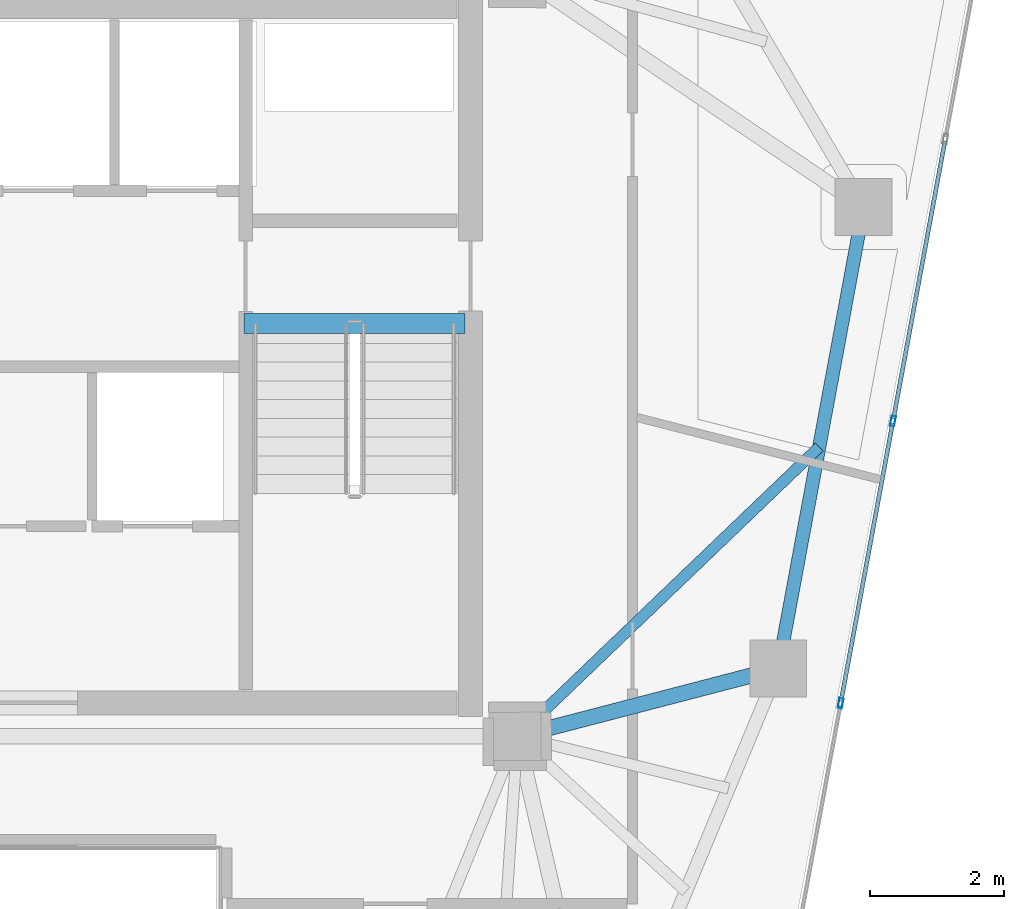
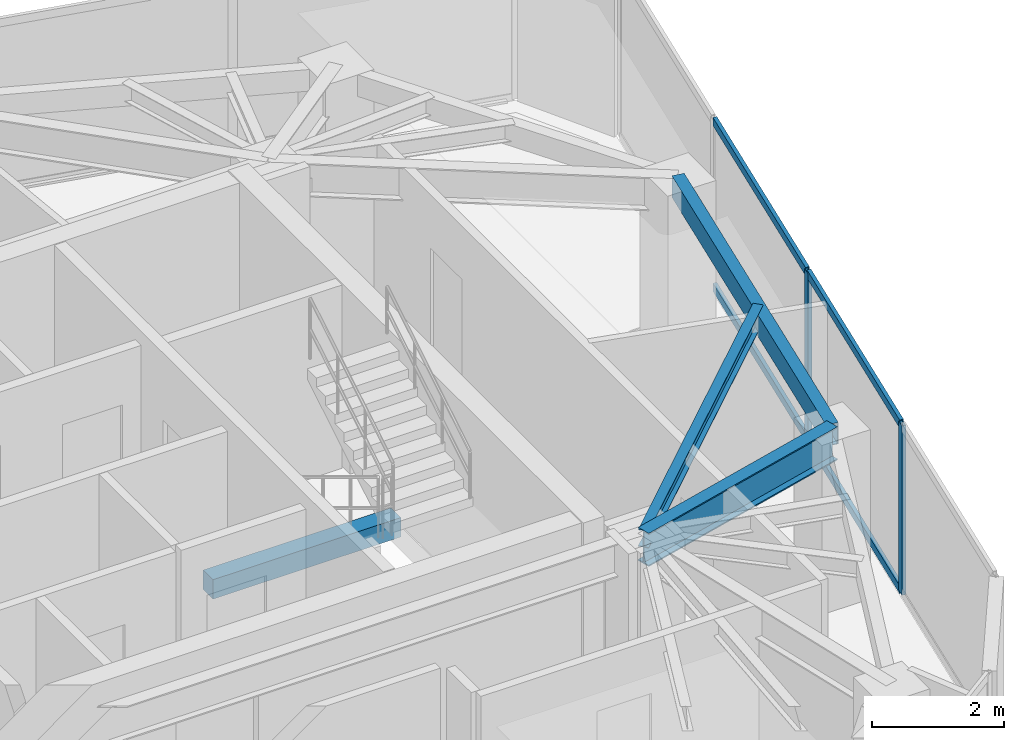
# One storey, part 12 of 19: 6 members, 4 beams, 1 element without a shape of its own.
"""IFC4 building model written with IfcOpenShell, lengths in metres."""

from ifc_helpers import new_model, si_unit, direction, frame, origin, origin_2d, place, context, subcontext, project, spatial, rectangle, hollow_rectangle, i_section, extrude, source, transform, mapped, material, layer, layer_set, material_profile, profile_set, type_object, type_shapes, element, aggregate, save


model = new_model("IFC4")

# Units and contexts
model_context = context("Model", 3, precision=1e-05, world=origin(), true_north=direction((0.0, 1.0)))
body_context = subcontext(model_context, "Body", "Model", "MODEL_VIEW")
ifc_project = project(units=[si_unit("LENGTHUNIT", "METRE"), si_unit("AREAUNIT", "SQUARE_METRE"), si_unit("VOLUMEUNIT", "CUBIC_METRE"), si_unit("PLANEANGLEUNIT", "RADIAN"), si_unit("MASSUNIT", "GRAM", prefix="KILO")], contexts=[model_context])

# Site, building, storey
site_placement = place(None, origin())
site = spatial("IfcSite", under=ifc_project, at=site_placement, CompositionType="ELEMENT")
building_placement = place(site_placement, origin())
building = spatial("IfcBuilding", under=site, at=building_placement, Name="Talar Marvaseh", CompositionType="ELEMENT")
storey_placement = place(building_placement, frame((0.0, 0.0, 240.800048828125)))
storey = spatial("IfcBuildingStorey", under=building, at=storey_placement, Name="L63", CompositionType="ELEMENT", Elevation=240.800048828125)

# Beams
ifc_material_1 = material(Name="Concrete C40/50", Category="concrete")
ifc_material_profile_1 = material_profile(ifc_material_1, rectangle(XDim=0.300048828125, YDim=0.360107421875, at=origin_2d()), Name="RC300x360")
ifc_profile_set_1 = profile_set([ifc_material_profile_1], Name="Concrete C40/50")
beam_type_1 = type_object("IfcBeamType", Name="Concrete Stair Landing Trimmer Beam RC300x360", PredefinedType="SPANDREL", material=ifc_profile_set_1)
beam_1_placement = place(storey_placement, frame((29.219970703125, 31.669921875, -0.179931640625), z_axis=(1.0, 0.0, 0.0), x_axis=(0.0, 1.0, 0.0)))
element("IfcBeam", 1, at=beam_1_placement, inside=storey, type_object=beam_type_1, Name="L63 ST-2 Stair Nosing Trimmer Beam", PredefinedType="SPANDREL", context=body_context, shape_type="SweptSolid", body=[
    extrude(rectangle(XDim=0.300048828125, YDim=0.360107421875, at=origin_2d()), origin(), (0.0, 0.0, 1.0), 3.300048828125),
])
ifc_material_2 = material(Name="Steel S355", Category="steel")
ifc_material_profile_2 = material_profile(ifc_material_2, hollow_rectangle(XDim=0.199951171875, YDim=0.39990234375, WallThickness=0.013916015625, at=origin_2d()), Name="RHS400x200x14")
ifc_profile_set_2 = profile_set([ifc_material_profile_2], Name="Steel S355")
beam_type_2 = type_object("IfcBeamType", Name="Zone 3 Perimeter Spandrel Beam RHS400x200x14", PredefinedType="SPANDREL", material=ifc_profile_set_2)
beam_2_placement = place(storey_placement, frame((38.470947265625, 33.406005859375, 2.93994140625), z_axis=(-0.181759950929, -0.983342931148, 0.0), x_axis=(0.983342931148, -0.181759950929, 0.0)))
element("IfcBeam", 2, at=beam_2_placement, inside=storey, type_object=beam_type_2, Name="L63 Zone 3 Perimeter Spandrel Beam RHS400x200x14", PredefinedType="SPANDREL", context=body_context, shape_type="SweptSolid", body=[
    extrude(hollow_rectangle(XDim=0.199951171875, YDim=0.39990234375, WallThickness=0.013916015625, at=origin_2d()), origin(), (0.0, 0.0, 1.0), 7.0087890625),
])
ifc_material_profile_3 = material_profile(ifc_material_2, i_section(OverallWidth=0.166015625, OverallDepth=0.31298828125, WebThickness=0.006591796875, FlangeThickness=0.01123046875, at=origin_2d()), Name="W310x45")
ifc_profile_set_3 = profile_set([ifc_material_profile_3], Name="Steel S355")
beam_type_3 = type_object("IfcBeamType", Name="Zone 3 Secondary Floor Joist W310x45", PredefinedType="JOIST", material=ifc_profile_set_3)
beam_3_placement = place(storey_placement, frame((37.80859375, 29.822265625, 2.9833984375), z_axis=(-0.721862081493, -0.692036946486, 0.0), x_axis=(0.692036946486, -0.721862081493, 0.0)))
element("IfcBeam", 3, at=beam_3_placement, inside=storey, type_object=beam_type_3, Name="L63 Zone 3 Secondary Floor Joist W310x45", PredefinedType="JOIST", context=body_context, shape_type="SweptSolid", body=[
    extrude(i_section(OverallWidth=0.166015625, OverallDepth=0.31298828125, WebThickness=0.006591796875, FlangeThickness=0.01123046875, at=origin_2d()), origin(), (0.0, 0.0, 1.0), 6.24560546875),
])
ifc_material_profile_4 = material_profile(ifc_material_2, i_section(OverallWidth=0.22998046875, OverallDepth=0.616943359375, WebThickness=0.01318359375, FlangeThickness=0.022216796875, at=origin_2d()), Name="W610x140")
ifc_profile_set_4 = profile_set([ifc_material_profile_4], Name="Steel S355")
beam_type_4 = type_object("IfcBeamType", Name="Zone 4 Radial Floor Girder W610x140", PredefinedType="BEAM", material=ifc_profile_set_4)
beam_4_placement = place(storey_placement, frame((37.197021484375, 26.513916015625, 2.83154296875), z_axis=(-0.967779967746, -0.251797406719, 0.0), x_axis=(0.251797406719, -0.967779967746, 0.0)))
element("IfcBeam", 4, at=beam_4_placement, inside=storey, type_object=beam_type_4, Name="L63 Zone 4 Radial Floor Girder W610x140", PredefinedType="BEAM", context=body_context, shape_type="SweptSolid", body=[
    extrude(i_section(OverallWidth=0.22998046875, OverallDepth=0.616943359375, WebThickness=0.01318359375, FlangeThickness=0.022216796875, at=origin_2d()), origin(), (0.0, 0.0, 1.0), 4.026611328125),
])

# Curtain wall, members
ifc_material_3 = material(Name="Architectural Aluminium", Category="aluminium")
ifc_layer = layer(ifc_material_3, 0.179931640625)
ifc_layer_set = layer_set([ifc_layer], Name="Architectural Aluminium")
curtain_wall_type = type_object("IfcCurtainWallType", Name="Unitised High-Wind Sky Curtain Wall Z4", PredefinedType="NOTDEFINED", material=ifc_layer_set)
curtain_wall_placement = place(storey_placement, origin())
curtain_wall = element("IfcCurtainWall", 5, at=curtain_wall_placement, inside=storey, type_object=curtain_wall_type, Name="L63 Unitised High-Wind Sky Curtain Wall Z4", PredefinedType="NOTDEFINED")
ifc_material_profile_5 = material_profile(ifc_material_3, hollow_rectangle(XDim=0.06494140625, YDim=0.14990234375, WallThickness=0.00390625, at=origin_2d()), Name="RHS150x65x4")
ifc_profile_set_5 = profile_set([ifc_material_profile_5], Name="Architectural Aluminium")
member_type_1 = type_object("IfcMemberType", Name="Unitised Curtain Wall Slim Mullion RHS150x65x4", PredefinedType="MULLION", material=ifc_profile_set_5)
shared_shape_1 = source(origin(), body_context, "Body", "SweptSolid", [
    extrude(hollow_rectangle(XDim=0.06494140625, YDim=0.14990234375, WallThickness=0.00390625, at=origin_2d()), origin(), (0.0, 0.0, 1.0), 3.139892578125),
])
type_shapes(member_type_1, [shared_shape_1])
member_1_placement = place(storey_placement, frame((38.91064453125, 30.210205078125, 0.0), z_axis=(0.0, 0.0, 1.0), x_axis=(0.983227037765, -0.182385833354, 0.0)))
member_1 = element("IfcMember", 6, at=member_1_placement, type_object=member_type_1, Name="CW-Z4 mullion 3", PredefinedType="MULLION", context=body_context, shape_type="MappedRepresentation", body=[
    mapped(shared_shape_1, transform((0.0, 0.0, 0.0), x_axis=(1.0, 0.0, 0.0), y_axis=(0.0, 1.0, 0.0), z_axis=(0.0, 0.0, 1.0), scale=1.0)),
])
member_2_placement = place(storey_placement, frame((38.12890625, 25.995849609375, 0.0), z_axis=(0.0, 0.0, 1.0), x_axis=(0.983227037765, -0.182385833354, 0.0)))
member_2 = element("IfcMember", 7, at=member_2_placement, type_object=member_type_1, Name="CW-Z4 mullion 4", PredefinedType="MULLION", context=body_context, shape_type="MappedRepresentation", body=[
    mapped(shared_shape_1, transform((0.0, 0.0, 0.0), x_axis=(1.0, 0.0, 0.0), y_axis=(0.0, 1.0, 0.0), z_axis=(0.0, 0.0, 1.0), scale=1.0)),
])
ifc_material_profile_6 = material_profile(ifc_material_3, hollow_rectangle(XDim=0.06494140625, YDim=0.14990234375, WallThickness=0.00390625, at=origin_2d()), Name="RHS150x65x4")
ifc_profile_set_6 = profile_set([ifc_material_profile_6], Name="Architectural Aluminium")
member_type_2 = type_object("IfcMemberType", Name="Unitised Curtain Wall Slim Transom RHS150x65x4", PredefinedType="USERDEFINED", material=ifc_profile_set_6)
shared_shape_2 = source(origin(), body_context, "Body", "SweptSolid", [
    extrude(hollow_rectangle(XDim=0.06494140625, YDim=0.14990234375, WallThickness=0.00390625, at=origin_2d()), origin(), (0.0, 0.0, 1.0), 4.221435546875),
])
type_shapes(member_type_2, [shared_shape_2])
member_3_placement = place(storey_placement, frame((39.6865234375, 34.392578125, 0.032470703125), z_axis=(-0.182406106435, -0.983223276949, 0.0), x_axis=(0.983223276949, -0.182406106435, 0.0)))
member_3 = element("IfcMember", 8, at=member_3_placement, type_object=member_type_2, Name="CW-Z4 transom 2.1", ObjectType="TRANSOM", PredefinedType="USERDEFINED", context=body_context, shape_type="MappedRepresentation", body=[
    mapped(shared_shape_2, transform((0.0, 0.0, 0.0), x_axis=(1.0, 0.0, 0.0), y_axis=(0.0, 1.0, 0.0), z_axis=(0.0, 0.0, 1.0), scale=1.0)),
])
member_4_placement = place(storey_placement, frame((39.6865234375, 34.392578125, 3.107421875), z_axis=(-0.182406106435, -0.983223276949, 0.0), x_axis=(0.983223276949, -0.182406106435, 0.0)))
member_4 = element("IfcMember", 9, at=member_4_placement, type_object=member_type_2, Name="CW-Z4 transom 2.2", ObjectType="TRANSOM", PredefinedType="USERDEFINED", context=body_context, shape_type="MappedRepresentation", body=[
    mapped(shared_shape_2, transform((0.0, 0.0, 0.0), x_axis=(1.0, 0.0, 0.0), y_axis=(0.0, 1.0, 0.0), z_axis=(0.0, 0.0, 1.0), scale=1.0)),
])
member_5_placement = place(storey_placement, frame((38.90478515625, 30.17822265625, 0.032470703125), z_axis=(-0.182406106435, -0.983223276949, 0.0), x_axis=(0.983223276949, -0.182406106435, 0.0)))
member_5 = element("IfcMember", 10, at=member_5_placement, type_object=member_type_2, Name="CW-Z4 transom 3.1", ObjectType="TRANSOM", PredefinedType="USERDEFINED", context=body_context, shape_type="MappedRepresentation", body=[
    mapped(shared_shape_2, transform((0.0, 0.0, 0.0), x_axis=(1.0, 0.0, 0.0), y_axis=(0.0, 1.0, 0.0), z_axis=(0.0, 0.0, 1.0), scale=1.0)),
])
member_6_placement = place(storey_placement, frame((38.90478515625, 30.17822265625, 3.107421875), z_axis=(-0.182406106435, -0.983223276949, 0.0), x_axis=(0.983223276949, -0.182406106435, 0.0)))
member_6 = element("IfcMember", 11, at=member_6_placement, type_object=member_type_2, Name="CW-Z4 transom 3.2", ObjectType="TRANSOM", PredefinedType="USERDEFINED", context=body_context, shape_type="MappedRepresentation", body=[
    mapped(shared_shape_2, transform((0.0, 0.0, 0.0), x_axis=(1.0, 0.0, 0.0), y_axis=(0.0, 1.0, 0.0), z_axis=(0.0, 0.0, 1.0), scale=1.0)),
])
aggregate(curtain_wall, [member_1, member_2, member_3, member_4, member_5, member_6])

save(model, "model.ifc")
